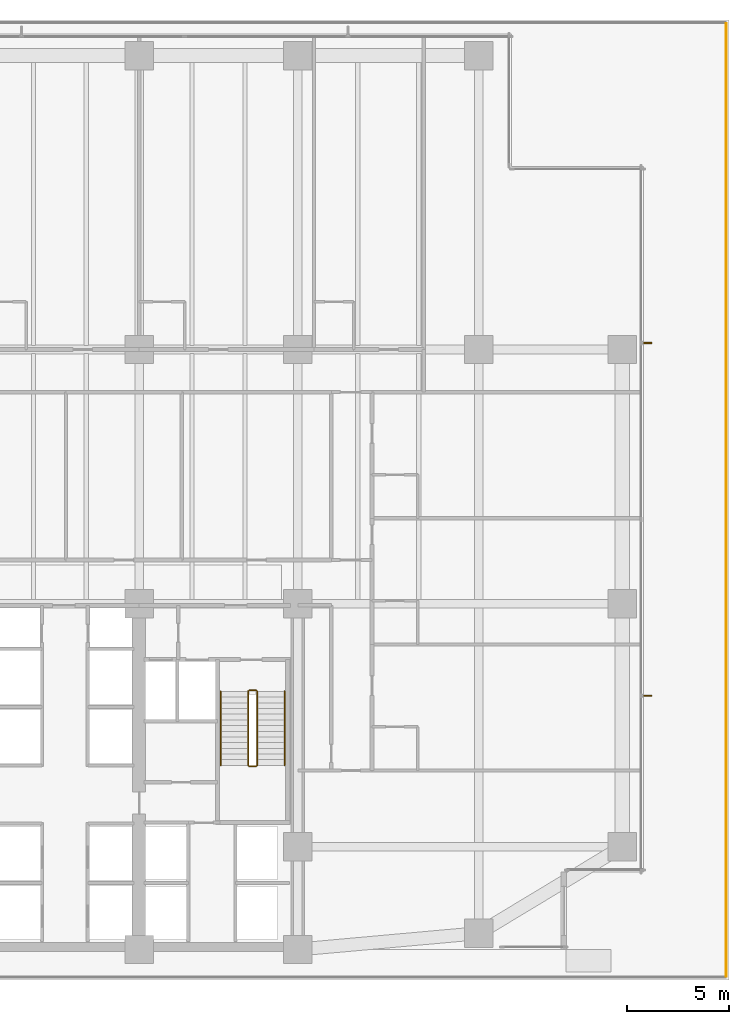
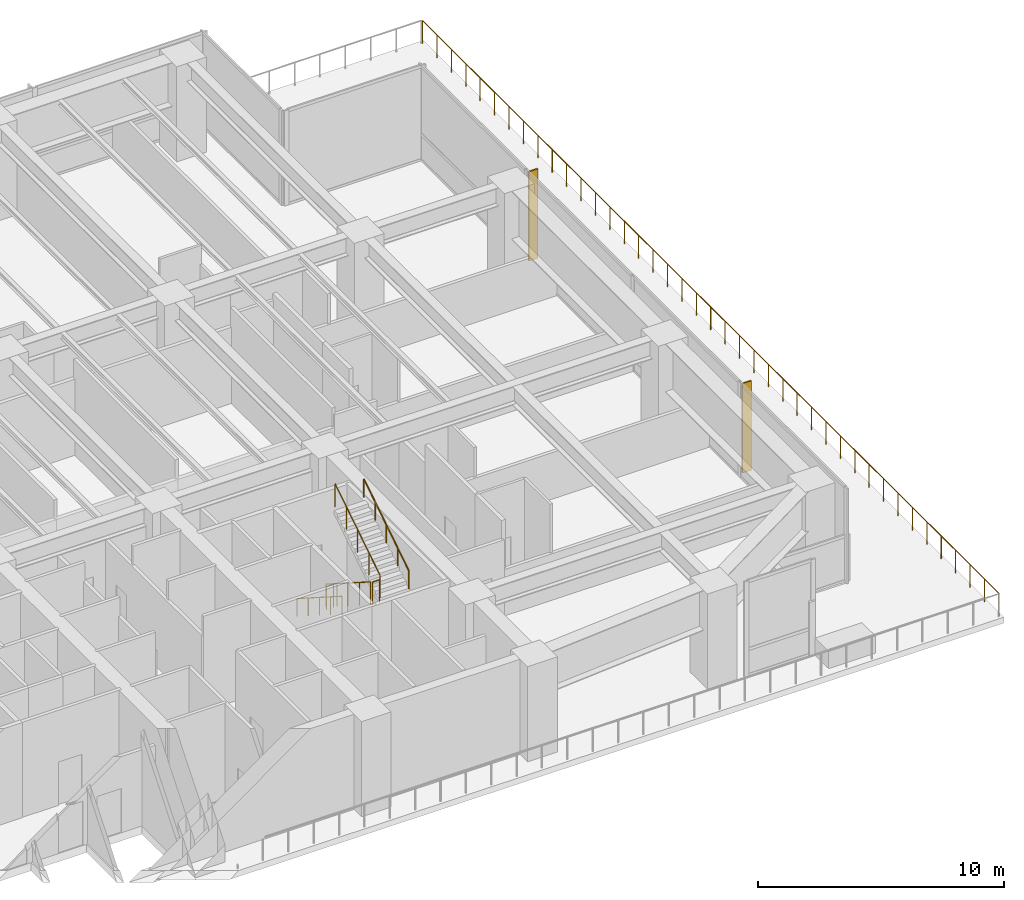
# One storey, part 18 of 19: 7 railings, 2 shading devices.
"""IFC4 building model written with IfcOpenShell, lengths in metres."""

from ifc_helpers import new_model, si_unit, direction, frame, origin, origin_2d, place, context, subcontext, project, spatial, polyline, circle, outline, extrude, material, layer, layer_set, type_object, element, save


model = new_model("IFC4")

# Units and contexts
model_context = context("Model", 3, precision=1e-05, world=origin(), true_north=direction((0.0, 1.0)))
body_context = subcontext(model_context, "Body", "Model", "MODEL_VIEW")
ifc_project = project(units=[si_unit("LENGTHUNIT", "METRE"), si_unit("AREAUNIT", "SQUARE_METRE"), si_unit("VOLUMEUNIT", "CUBIC_METRE"), si_unit("PLANEANGLEUNIT", "RADIAN"), si_unit("MASSUNIT", "GRAM", prefix="KILO")], contexts=[model_context])

# Site, building, storey
site_placement = place(None, origin())
site = spatial("IfcSite", under=ifc_project, at=site_placement, CompositionType="ELEMENT")
building_placement = place(site_placement, origin())
building = spatial("IfcBuilding", under=site, at=building_placement, Name="Qalmaran Belvedere Hotel", CompositionType="ELEMENT")
storey_placement = place(building_placement, frame((0.0, 0.0, 28.39990234375)))
storey = spatial("IfcBuildingStorey", under=building, at=storey_placement, Name="L06", CompositionType="ELEMENT", Elevation=28.39990234375)

# Shading devices
ifc_material_1 = material(Name="Anodised Bronze Aluminium", Category="aluminium")
ifc_layer = layer(ifc_material_1, 0.06494140625, Name="Anodised Bronze Aluminium")
ifc_layer_set = layer_set([ifc_layer], Name="Anodised Bronze Aluminium")
shading_device_type = type_object("IfcShadingDeviceType", Name="FIN-BRNZ-420", PredefinedType="USERDEFINED", material=ifc_layer_set)
shading_device_1_placement = place(storey_placement, frame((0.0, 0.0, 0.16015625)))
element("IfcShadingDevice", 1, at=shading_device_1_placement, inside=storey, type_object=shading_device_type, Name="L06 Bronze Fin 1", ObjectType="FIN", PredefinedType="USERDEFINED", context=body_context, shape_type="SweptSolid", body=[
    extrude(outline(polyline([(61.7724609375, 15.9423828125), (62.1923828125, 15.9423828125), (62.1923828125, 16.007568359375), (61.7724609375, 16.007568359375), (61.7724609375, 15.9423828125)])), origin(), (0.0, 0.0, 1.0), 4.43994140625),
])
shading_device_2_placement = place(storey_placement, frame((0.0, 0.0, 0.16015625)))
element("IfcShadingDevice", 2, at=shading_device_2_placement, inside=storey, type_object=shading_device_type, Name="L06 Bronze Fin 3", ObjectType="FIN", PredefinedType="USERDEFINED", context=body_context, shape_type="SweptSolid", body=[
    extrude(outline(polyline([(61.7724609375, 33.29248046875), (62.1923828125, 33.29248046875), (62.1923828125, 33.357421875), (61.7724609375, 33.357421875), (61.7724609375, 33.29248046875)])), origin(), (0.0, 0.0, 1.0), 4.43994140625),
])

# Railings
railing_type_1 = type_object("IfcRailingType", Name="GRD-TERR-1150", PredefinedType="BALUSTRADE", material=ifc_material_1)
railing_1_placement = place(storey_placement, frame((65.860107421875, 2.175048828125, 0.0)))
element("IfcRailing", 3, at=railing_1_placement, inside=storey, type_object=railing_type_1, Name="L06 Guardrail L06-TERR-2", PredefinedType="BALUSTRADE", context=body_context, shape_type="SweptSolid", body=[
    extrude(circle(Radius=0.02392578125, at=origin_2d()), frame((0.0, 0.0, 1.1259765625), z_axis=(0.0, 1.0, 0.0), x_axis=(-1.0, 0.0, 0.0)), (0.0, 0.0, 1.0), 46.849853515625),
    extrude(circle(Radius=0.02099609375, at=origin_2d()), origin(), (0.0, 0.0, 1.0), 1.101806640625),
    extrude(circle(Radius=0.02099609375, at=origin_2d()), frame((0.0, 1.171142578125, 0.0)), (0.0, 0.0, 1.0), 1.101806640625),
    extrude(circle(Radius=0.02099609375, at=origin_2d()), frame((0.0, 2.342529296875, 0.0)), (0.0, 0.0, 1.0), 1.101806640625),
    extrude(circle(Radius=0.02099609375, at=origin_2d()), frame((0.0, 3.513671875, 0.0)), (0.0, 0.0, 1.0), 1.101806640625),
    extrude(circle(Radius=0.02099609375, at=origin_2d()), frame((0.0, 4.68505859375, 0.0)), (0.0, 0.0, 1.0), 1.101806640625),
    extrude(circle(Radius=0.02099609375, at=origin_2d()), frame((0.0, 5.856201171875, 0.0)), (0.0, 0.0, 1.0), 1.101806640625),
    extrude(circle(Radius=0.02099609375, at=origin_2d()), frame((0.0, 7.027587890625, 0.0)), (0.0, 0.0, 1.0), 1.101806640625),
    extrude(circle(Radius=0.02099609375, at=origin_2d()), frame((0.0, 8.19873046875, 0.0)), (0.0, 0.0, 1.0), 1.101806640625),
    extrude(circle(Radius=0.02099609375, at=origin_2d()), frame((0.0, 9.369873046875, 0.0)), (0.0, 0.0, 1.0), 1.101806640625),
    extrude(circle(Radius=0.02099609375, at=origin_2d()), frame((0.0, 10.541259765625, 0.0)), (0.0, 0.0, 1.0), 1.101806640625),
    extrude(circle(Radius=0.02099609375, at=origin_2d()), frame((0.0, 11.71240234375, 0.0)), (0.0, 0.0, 1.0), 1.101806640625),
    extrude(circle(Radius=0.02099609375, at=origin_2d()), frame((0.0, 12.8837890625, 0.0)), (0.0, 0.0, 1.0), 1.101806640625),
    extrude(circle(Radius=0.02099609375, at=origin_2d()), frame((0.0, 14.054931640625, 0.0)), (0.0, 0.0, 1.0), 1.101806640625),
    extrude(circle(Radius=0.02099609375, at=origin_2d()), frame((0.0, 15.226318359375, 0.0)), (0.0, 0.0, 1.0), 1.101806640625),
    extrude(circle(Radius=0.02099609375, at=origin_2d()), frame((0.0, 16.3974609375, 0.0)), (0.0, 0.0, 1.0), 1.101806640625),
    extrude(circle(Radius=0.02099609375, at=origin_2d()), frame((0.0, 17.568603515625, 0.0)), (0.0, 0.0, 1.0), 1.101806640625),
    extrude(circle(Radius=0.02099609375, at=origin_2d()), frame((0.0, 18.739990234375, 0.0)), (0.0, 0.0, 1.0), 1.101806640625),
    extrude(circle(Radius=0.02099609375, at=origin_2d()), frame((0.0, 19.9111328125, 0.0)), (0.0, 0.0, 1.0), 1.101806640625),
    extrude(circle(Radius=0.02099609375, at=origin_2d()), frame((0.0, 21.08251953125, 0.0)), (0.0, 0.0, 1.0), 1.101806640625),
    extrude(circle(Radius=0.02099609375, at=origin_2d()), frame((0.0, 22.253662109375, 0.0)), (0.0, 0.0, 1.0), 1.101806640625),
    extrude(circle(Radius=0.02099609375, at=origin_2d()), frame((0.0, 23.4248046875, 0.0)), (0.0, 0.0, 1.0), 1.101806640625),
    extrude(circle(Radius=0.02099609375, at=origin_2d()), frame((0.0, 24.59619140625, 0.0)), (0.0, 0.0, 1.0), 1.101806640625),
    extrude(circle(Radius=0.02099609375, at=origin_2d()), frame((0.0, 25.767333984375, 0.0)), (0.0, 0.0, 1.0), 1.101806640625),
    extrude(circle(Radius=0.02099609375, at=origin_2d()), frame((0.0, 26.938720703125, 0.0)), (0.0, 0.0, 1.0), 1.101806640625),
    extrude(circle(Radius=0.02099609375, at=origin_2d()), frame((0.0, 28.10986328125, 0.0)), (0.0, 0.0, 1.0), 1.101806640625),
    extrude(circle(Radius=0.02099609375, at=origin_2d()), frame((0.0, 29.28125, 0.0)), (0.0, 0.0, 1.0), 1.101806640625),
    extrude(circle(Radius=0.02099609375, at=origin_2d()), frame((0.0, 30.452392578125, 0.0)), (0.0, 0.0, 1.0), 1.101806640625),
    extrude(circle(Radius=0.02099609375, at=origin_2d()), frame((0.0, 31.62353515625, 0.0)), (0.0, 0.0, 1.0), 1.101806640625),
    extrude(circle(Radius=0.02099609375, at=origin_2d()), frame((0.0, 32.794921875, 0.0)), (0.0, 0.0, 1.0), 1.101806640625),
    extrude(circle(Radius=0.02099609375, at=origin_2d()), frame((0.0, 33.966064453125, 0.0)), (0.0, 0.0, 1.0), 1.101806640625),
    extrude(circle(Radius=0.02099609375, at=origin_2d()), frame((0.0, 35.137451171875, 0.0)), (0.0, 0.0, 1.0), 1.101806640625),
    extrude(circle(Radius=0.02099609375, at=origin_2d()), frame((0.0, 36.30859375, 0.0)), (0.0, 0.0, 1.0), 1.101806640625),
    extrude(circle(Radius=0.02099609375, at=origin_2d()), frame((0.0, 37.47998046875, 0.0)), (0.0, 0.0, 1.0), 1.101806640625),
    extrude(circle(Radius=0.02099609375, at=origin_2d()), frame((0.0, 38.651123046875, 0.0)), (0.0, 0.0, 1.0), 1.101806640625),
    extrude(circle(Radius=0.02099609375, at=origin_2d()), frame((0.0, 39.822265625, 0.0)), (0.0, 0.0, 1.0), 1.101806640625),
    extrude(circle(Radius=0.02099609375, at=origin_2d()), frame((0.0, 40.99365234375, 0.0)), (0.0, 0.0, 1.0), 1.101806640625),
    extrude(circle(Radius=0.02099609375, at=origin_2d()), frame((0.0, 42.164794921875, 0.0)), (0.0, 0.0, 1.0), 1.101806640625),
    extrude(circle(Radius=0.02099609375, at=origin_2d()), frame((0.0, 43.336181640625, 0.0)), (0.0, 0.0, 1.0), 1.101806640625),
    extrude(circle(Radius=0.02099609375, at=origin_2d()), frame((0.0, 44.50732421875, 0.0)), (0.0, 0.0, 1.0), 1.101806640625),
    extrude(circle(Radius=0.02099609375, at=origin_2d()), frame((0.0, 45.6787109375, 0.0)), (0.0, 0.0, 1.0), 1.101806640625),
    extrude(circle(Radius=0.02099609375, at=origin_2d()), frame((0.0, 46.849853515625, 0.0)), (0.0, 0.0, 1.0), 1.101806640625),
])
ifc_material_2 = material(Name="Stainless Steel 1.4401", Category="steel")
railing_type_2 = type_object("IfcRailingType", Name="RLG-STAIR-GUARD-1150", PredefinedType="GUARDRAIL", material=ifc_material_2)
railing_2_placement = place(storey_placement, frame((42.360107421875, 16.18994140625, 0.1787109375)))
element("IfcRailing", 4, at=railing_2_placement, inside=storey, type_object=railing_type_2, Name="L06 ST-2 stair guard 1", PredefinedType="GUARDRAIL", context=body_context, shape_type="SweptSolid", body=[
    extrude(circle(Radius=0.02392578125, at=origin_2d()), frame((0.0, 0.0, 1.1259765625), z_axis=(0.0, -0.843137146238, 0.537698570422), x_axis=(1.0, 0.0, 0.0)), (0.0, 0.0, 1.0), 4.317138671875),
    extrude(circle(Radius=0.02099609375, at=origin_2d()), origin(), (0.0, 0.0, 1.0), 1.101806640625),
    extrude(circle(Radius=0.02099609375, at=origin_2d()), frame((0.0, -0.909912109375, 0.580322265625)), (0.0, 0.0, 1.0), 1.101806640625),
    extrude(circle(Radius=0.02099609375, at=origin_2d()), frame((0.0, -1.81982421875, 1.16064453125)), (0.0, 0.0, 1.0), 1.101806640625),
    extrude(circle(Radius=0.02099609375, at=origin_2d()), frame((0.0, -2.72998046875, 1.740966796875)), (0.0, 0.0, 1.0), 1.101806640625),
    extrude(circle(Radius=0.02099609375, at=origin_2d()), frame((0.0, -3.639892578125, 2.3212890625)), (0.0, 0.0, 1.0), 1.101806640625),
])
railing_3_placement = place(storey_placement, frame((42.409912109375, 12.5, 2.5)))
element("IfcRailing", 5, at=railing_3_placement, inside=storey, type_object=railing_type_2, Name="L06 ST-2 stair guard 2", PredefinedType="GUARDRAIL", context=body_context, shape_type="SweptSolid", body=[
    extrude(circle(Radius=0.02392578125, at=origin_2d()), frame((0.0, 0.0, 1.1259765625), z_axis=(1.0, 0.0, 0.0), x_axis=(0.0, 1.0, 0.0)), (0.0, 0.0, 1.0), 0.340087890625),
    extrude(circle(Radius=0.02099609375, at=origin_2d()), origin(), (0.0, 0.0, 1.0), 1.101806640625),
    extrude(circle(Radius=0.02099609375, at=origin_2d()), frame((0.340087890625, 0.0, 0.0)), (0.0, 0.0, 1.0), 1.101806640625),
])
railing_4_placement = place(storey_placement, frame((42.800048828125, 12.550048828125, 2.6787109375)))
element("IfcRailing", 6, at=railing_4_placement, inside=storey, type_object=railing_type_2, Name="L06 ST-2 stair guard 3", PredefinedType="GUARDRAIL", context=body_context, shape_type="SweptSolid", body=[
    extrude(circle(Radius=0.02392578125, at=origin_2d()), frame((0.0, 0.0, 1.1259765625), z_axis=(0.0, 0.843137146238, 0.537698570422), x_axis=(-1.0, 0.0, 0.0)), (0.0, 0.0, 1.0), 4.317138671875),
    extrude(circle(Radius=0.02099609375, at=origin_2d()), origin(), (0.0, 0.0, 1.0), 1.101806640625),
    extrude(circle(Radius=0.02099609375, at=origin_2d()), frame((0.0, 0.909912109375, 0.580322265625)), (0.0, 0.0, 1.0), 1.101806640625),
    extrude(circle(Radius=0.02099609375, at=origin_2d()), frame((0.0, 1.81982421875, 1.16064453125)), (0.0, 0.0, 1.0), 1.101806640625),
    extrude(circle(Radius=0.02099609375, at=origin_2d()), frame((0.0, 2.72998046875, 1.740966796875)), (0.0, 0.0, 1.0), 1.101806640625),
    extrude(circle(Radius=0.02099609375, at=origin_2d()), frame((0.0, 3.639892578125, 2.3212890625)), (0.0, 0.0, 1.0), 1.101806640625),
])
railing_5_placement = place(storey_placement, frame((42.409912109375, 16.239990234375, 0.0)))
element("IfcRailing", 7, at=railing_5_placement, inside=storey, type_object=railing_type_2, Name="L06 ST-2 stair guard 4", PredefinedType="GUARDRAIL", context=body_context, shape_type="SweptSolid", body=[
    extrude(circle(Radius=0.02392578125, at=origin_2d()), frame((0.0, 0.0, 1.1259765625), z_axis=(1.0, 0.0, 0.0), x_axis=(0.0, 1.0, 0.0)), (0.0, 0.0, 1.0), 0.340087890625),
    extrude(circle(Radius=0.02099609375, at=origin_2d()), origin(), (0.0, 0.0, 1.0), 1.101806640625),
    extrude(circle(Radius=0.02099609375, at=origin_2d()), frame((0.340087890625, 0.0, 0.0)), (0.0, 0.0, 1.0), 1.101806640625),
])
railing_type_3 = type_object("IfcRailingType", Name="RLG-STAIR-HAND-910", PredefinedType="HANDRAIL", material=ifc_material_2)
railing_6_placement = place(storey_placement, frame((41.010009765625, 16.18994140625, 0.1787109375)))
element("IfcRailing", 8, at=railing_6_placement, inside=storey, type_object=railing_type_3, Name="L06 ST-2 stair handrail 1", PredefinedType="HANDRAIL", context=body_context, shape_type="SweptSolid", body=[
    extrude(circle(Radius=0.02392578125, at=origin_2d()), frame((0.0, 0.0, 0.8857421875), z_axis=(0.0, -0.843137146238, 0.537698570422), x_axis=(1.0, 0.0, 0.0)), (0.0, 0.0, 1.0), 4.317138671875),
    extrude(circle(Radius=0.02099609375, at=origin_2d()), origin(), (0.0, 0.0, 1.0), 0.86181640625),
    extrude(circle(Radius=0.02099609375, at=origin_2d()), frame((0.0, -0.909912109375, 0.580322265625)), (0.0, 0.0, 1.0), 0.86181640625),
    extrude(circle(Radius=0.02099609375, at=origin_2d()), frame((0.0, -1.81982421875, 1.16064453125)), (0.0, 0.0, 1.0), 0.86181640625),
    extrude(circle(Radius=0.02099609375, at=origin_2d()), frame((0.0, -2.72998046875, 1.740966796875)), (0.0, 0.0, 1.0), 0.86181640625),
    extrude(circle(Radius=0.02099609375, at=origin_2d()), frame((0.0, -3.639892578125, 2.3212890625)), (0.0, 0.0, 1.0), 0.86181640625),
])
railing_7_placement = place(storey_placement, frame((44.14990234375, 12.550048828125, 2.6787109375)))
element("IfcRailing", 9, at=railing_7_placement, inside=storey, type_object=railing_type_3, Name="L06 ST-2 stair handrail 2", PredefinedType="HANDRAIL", context=body_context, shape_type="SweptSolid", body=[
    extrude(circle(Radius=0.02392578125, at=origin_2d()), frame((0.0, 0.0, 0.8857421875), z_axis=(0.0, 0.843137146238, 0.537698570422), x_axis=(-1.0, 0.0, 0.0)), (0.0, 0.0, 1.0), 4.317138671875),
    extrude(circle(Radius=0.02099609375, at=origin_2d()), origin(), (0.0, 0.0, 1.0), 0.86181640625),
    extrude(circle(Radius=0.02099609375, at=origin_2d()), frame((0.0, 0.909912109375, 0.580322265625)), (0.0, 0.0, 1.0), 0.86181640625),
    extrude(circle(Radius=0.02099609375, at=origin_2d()), frame((0.0, 1.81982421875, 1.16064453125)), (0.0, 0.0, 1.0), 0.86181640625),
    extrude(circle(Radius=0.02099609375, at=origin_2d()), frame((0.0, 2.72998046875, 1.740966796875)), (0.0, 0.0, 1.0), 0.86181640625),
    extrude(circle(Radius=0.02099609375, at=origin_2d()), frame((0.0, 3.639892578125, 2.3212890625)), (0.0, 0.0, 1.0), 0.86181640625),
])

save(model, "model.ifc")
